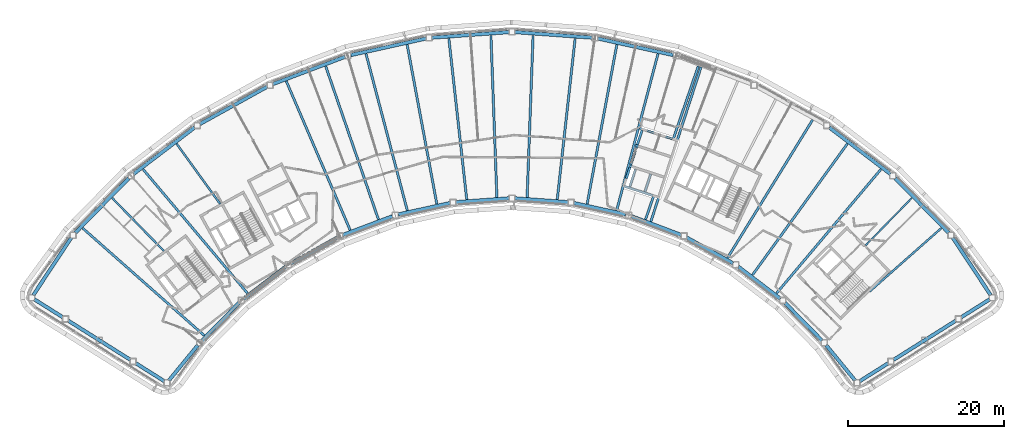
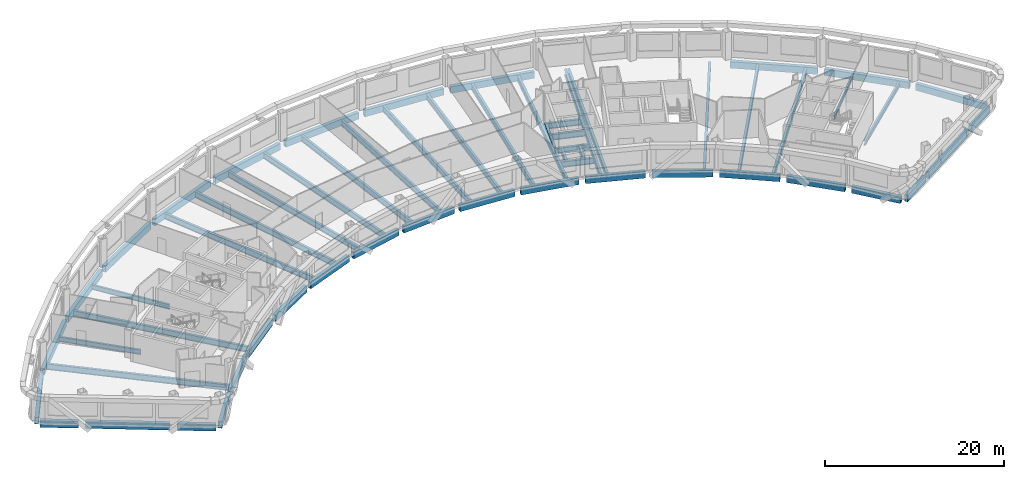
# One storey, part 3 of 18: 62 beams.
"""IFC4 building model written with IfcOpenShell, lengths in metres."""

from ifc_helpers import new_model, si_unit, direction, frame, origin, origin_2d, place, context, subcontext, project, spatial, hollow_rectangle, i_section, extrude, material, material_profile, profile_set, type_object, element, save


model = new_model("IFC4")

# Units and contexts
model_context = context("Model", 3, precision=1e-05, world=origin(), true_north=direction((0.0, 1.0)))
body_context = subcontext(model_context, "Body", "Model", "MODEL_VIEW")
ifc_project = project(units=[si_unit("LENGTHUNIT", "METRE"), si_unit("AREAUNIT", "SQUARE_METRE"), si_unit("VOLUMEUNIT", "CUBIC_METRE"), si_unit("PLANEANGLEUNIT", "RADIAN"), si_unit("MASSUNIT", "GRAM", prefix="KILO")], contexts=[model_context])

# Site, building, storey
site_placement = place(None, origin())
site = spatial("IfcSite", under=ifc_project, at=site_placement, CompositionType="ELEMENT")
building_placement = place(site_placement, origin())
building = spatial("IfcBuilding", under=site, at=building_placement, Name="Tuul Gate Civic Tower", CompositionType="ELEMENT")
storey_placement = place(building_placement, frame((0.0, 0.0, 234.699951171875)))
storey = spatial("IfcBuildingStorey", under=building, at=storey_placement, Name="Level 53", CompositionType="ELEMENT", Elevation=234.699951171875)

# Beams
ifc_material_1 = material(Name="Steel S355", Category="steel")
ifc_material_profile_1 = material_profile(ifc_material_1, i_section(OverallWidth=0.199951171875, OverallDepth=0.5, WebThickness=0.010009765625, FlangeThickness=0.01611328125, at=origin_2d()), Name="PG500x200x10x16")
ifc_profile_set_1 = profile_set([ifc_material_profile_1], Name="Steel S355")
beam_type_1 = type_object("IfcBeamType", Name="STR-FLOOR BEAM-PG500x200x10x16", PredefinedType="BEAM", material=ifc_profile_set_1)
beam_1_placement = place(storey_placement, frame((51.3310546875, -8.854248046875, -0.550048828125), z_axis=(0.698691017766, 0.715423554052, 0.0), x_axis=(-0.715423554052, 0.698691017766, 0.0)))
element("IfcBeam", 1, at=beam_1_placement, inside=storey, type_object=beam_type_1, Name="Floor beam", PredefinedType="BEAM", context=body_context, shape_type="SweptSolid", body=[
    extrude(i_section(OverallWidth=0.199951171875, OverallDepth=0.5, WebThickness=0.010009765625, FlangeThickness=0.01611328125, at=origin_2d()), origin(), (0.0, 0.0, 1.0), 8.50634765625),
])
ifc_material_2 = material(Name="Steel S355", Category="steel")
ifc_material_profile_2 = material_profile(ifc_material_2, i_section(OverallWidth=0.25, OverallDepth=0.64990234375, WebThickness=0.011962890625, FlangeThickness=0.02001953125, at=origin_2d()), Name="PG650x250x12x20")
ifc_profile_set_2 = profile_set([ifc_material_profile_2], Name="Steel S355")
beam_type_2 = type_object("IfcBeamType", Name="STR-FLOOR BEAM-PG650x250x12x20", PredefinedType="BEAM", material=ifc_profile_set_2)
beam_2_placement = place(storey_placement, frame((51.833740234375, -14.790771484375, -0.625), z_axis=(0.749448461943, 0.662062688037, 0.0), x_axis=(-0.662062688037, 0.749448461943, 0.0)))
element("IfcBeam", 2, at=beam_2_placement, inside=storey, type_object=beam_type_2, Name="Floor beam", PredefinedType="BEAM", context=body_context, shape_type="SweptSolid", body=[
    extrude(i_section(OverallWidth=0.25, OverallDepth=0.64990234375, WebThickness=0.011962890625, FlangeThickness=0.02001953125, at=origin_2d()), origin(), (0.0, 0.0, 1.0), 12.31787109375),
])
beam_3_placement = place(storey_placement, frame((-31.535888671875, -3.523193359375, -0.625), z_axis=(-0.586084023539, 0.810250280686, 0.0), x_axis=(-0.810250280686, -0.586084023539, 0.0)))
element("IfcBeam", 3, at=beam_3_placement, inside=storey, type_object=beam_type_2, Name="Floor beam", PredefinedType="BEAM", context=body_context, shape_type="SweptSolid", body=[
    extrude(i_section(OverallWidth=0.25, OverallDepth=0.64990234375, WebThickness=0.011962890625, FlangeThickness=0.02001953125, at=origin_2d()), origin(), (0.0, 0.0, 1.0), 9.53515625),
])
beam_4_placement = place(storey_placement, frame((-38.757568359375, -9.564697265625, -0.625), z_axis=(-0.698678959674, 0.715435329928, 0.0), x_axis=(-0.715435329928, -0.698678959674, 0.0)))
element("IfcBeam", 4, at=beam_4_placement, inside=storey, type_object=beam_type_2, Name="Floor beam", PredefinedType="BEAM", context=body_context, shape_type="SweptSolid", body=[
    extrude(i_section(OverallWidth=0.25, OverallDepth=0.64990234375, WebThickness=0.011962890625, FlangeThickness=0.02001953125, at=origin_2d()), origin(), (0.0, 0.0, 1.0), 9.499755859375),
])
ifc_material_3 = material(Name="Steel S355", Category="steel")
ifc_material_profile_3 = material_profile(ifc_material_3, i_section(OverallWidth=0.300048828125, OverallDepth=0.800048828125, WebThickness=0.013916015625, FlangeThickness=0.02490234375, at=origin_2d()), Name="PG800x300x14x25")
ifc_profile_set_3 = profile_set([ifc_material_profile_3], Name="Steel S355")
beam_type_3 = type_object("IfcBeamType", Name="STR-FLOOR BEAM-PG800x300x14x25", PredefinedType="BEAM", material=ifc_profile_set_3)
beam_5_placement = place(storey_placement, frame((39.8974609375, -15.008056640625, -0.699951171875), z_axis=(0.644132135775, 0.764914238109, 0.0), x_axis=(-0.764914238109, 0.644132135775, 0.0)))
element("IfcBeam", 5, at=beam_5_placement, inside=storey, type_object=beam_type_3, Name="Floor beam", PredefinedType="BEAM", context=body_context, shape_type="SweptSolid", body=[
    extrude(i_section(OverallWidth=0.300048828125, OverallDepth=0.800048828125, WebThickness=0.013916015625, FlangeThickness=0.02490234375, at=origin_2d()), origin(), (0.0, 0.0, 1.0), 20.82568359375),
])
beam_6_placement = place(storey_placement, frame((36.80908203125, -12.656494140625, -0.699951171875), z_axis=(0.586087172263, 0.810248003089, 0.0), x_axis=(-0.810248003089, 0.586087172263, 0.0)))
element("IfcBeam", 6, at=beam_6_placement, inside=storey, type_object=beam_type_3, Name="Floor beam", PredefinedType="BEAM", context=body_context, shape_type="SweptSolid", body=[
    extrude(i_section(OverallWidth=0.300048828125, OverallDepth=0.800048828125, WebThickness=0.013916015625, FlangeThickness=0.02490234375, at=origin_2d()), origin(), (0.0, 0.0, 1.0), 20.806884765625),
])
beam_7_placement = place(storey_placement, frame((33.605712890625, -10.46533203125, -0.699951171875), z_axis=(0.524856706834, 0.851190599861, 0.0), x_axis=(-0.851190599861, 0.524856706834, 0.0)))
element("IfcBeam", 7, at=beam_7_placement, inside=storey, type_object=beam_type_3, Name="Floor beam", PredefinedType="BEAM", context=body_context, shape_type="SweptSolid", body=[
    extrude(i_section(OverallWidth=0.300048828125, OverallDepth=0.800048828125, WebThickness=0.013916015625, FlangeThickness=0.02490234375, at=origin_2d()), origin(), (0.0, 0.0, 1.0), 20.82275390625),
])
beam_8_placement = place(storey_placement, frame((23.0859375, -5.52294921875, -0.699951171875), z_axis=(0.325486974479, 0.945546524209, 0.0), x_axis=(-0.945546524209, 0.325486974479, 0.0)))
element("IfcBeam", 8, at=beam_8_placement, inside=storey, type_object=beam_type_3, Name="Floor beam", PredefinedType="BEAM", context=body_context, shape_type="SweptSolid", body=[
    extrude(i_section(OverallWidth=0.300048828125, OverallDepth=0.800048828125, WebThickness=0.013916015625, FlangeThickness=0.02490234375, at=origin_2d()), origin(), (0.0, 0.0, 1.0), 20.809326171875),
])
beam_9_placement = place(storey_placement, frame((19.37841796875, -4.3759765625, -0.699951171875), z_axis=(0.255007612054, 0.966939045542, 0.0), x_axis=(-0.966939045542, 0.255007612054, 0.0)))
element("IfcBeam", 9, at=beam_9_placement, inside=storey, type_object=beam_type_3, Name="Floor beam", PredefinedType="BEAM", context=body_context, shape_type="SweptSolid", body=[
    extrude(i_section(OverallWidth=0.300048828125, OverallDepth=0.800048828125, WebThickness=0.013916015625, FlangeThickness=0.02490234375, at=origin_2d()), origin(), (0.0, 0.0, 1.0), 20.8173828125),
])
beam_10_placement = place(storey_placement, frame((15.58837890625, -3.540771484375, -0.699951171875), z_axis=(0.1831360046, 0.983087587054, 0.0), x_axis=(-0.983087587054, 0.1831360046, 0.0)))
element("IfcBeam", 10, at=beam_10_placement, inside=storey, type_object=beam_type_3, Name="Floor beam", PredefinedType="BEAM", context=body_context, shape_type="SweptSolid", body=[
    extrude(i_section(OverallWidth=0.300048828125, OverallDepth=0.800048828125, WebThickness=0.013916015625, FlangeThickness=0.02490234375, at=origin_2d()), origin(), (0.0, 0.0, 1.0), 20.811279296875),
])
beam_11_placement = place(storey_placement, frame((11.7509765625, -2.960693359375, -0.699951171875), z_axis=(0.110288630292, 0.993899601584, 0.0), x_axis=(-0.993899601584, 0.110288630292, 0.0)))
element("IfcBeam", 11, at=beam_11_placement, inside=storey, type_object=beam_type_3, Name="Floor beam", PredefinedType="BEAM", context=body_context, shape_type="SweptSolid", body=[
    extrude(i_section(OverallWidth=0.300048828125, OverallDepth=0.800048828125, WebThickness=0.013916015625, FlangeThickness=0.02490234375, at=origin_2d()), origin(), (0.0, 0.0, 1.0), 20.81494140625),
])
for number, where, z_axis, x_axis, name in (
    (12, (7.880126953125, -2.679931640625, -0.699951171875), (0.036833774102, 0.999321406298, 0.0), (-0.999321406298, 0.036833774102, 0.0), "Floor beam"),
    (13, (3.99951171875, -2.679931640625, -0.699951171875), (-0.036833774102, 0.999321406298, 0.0), (-0.999321406298, -0.036833774102, 0.0), "Floor beam"),
):
    element("IfcBeam", number, at=place(storey_placement, frame(where, z_axis=z_axis, x_axis=x_axis)), inside=storey, type_object=beam_type_3, Name=name, PredefinedType="BEAM", context=body_context, shape_type="SweptSolid", body=[
        extrude(i_section(OverallWidth=0.300048828125, OverallDepth=0.800048828125, WebThickness=0.013916015625, FlangeThickness=0.02490234375, at=origin_2d()), origin(), (0.0, 0.0, 1.0), 20.8125),
    ])
beam_12_placement = place(storey_placement, frame((0.128662109375, -2.960693359375, -0.699951171875), z_axis=(-0.110287344613, 0.993899744249, 0.0), x_axis=(-0.993899744249, -0.110287344613, 0.0)))
element("IfcBeam", 14, at=beam_12_placement, inside=storey, type_object=beam_type_3, Name="Floor beam", PredefinedType="BEAM", context=body_context, shape_type="SweptSolid", body=[
    extrude(i_section(OverallWidth=0.300048828125, OverallDepth=0.800048828125, WebThickness=0.013916015625, FlangeThickness=0.02490234375, at=origin_2d()), origin(), (0.0, 0.0, 1.0), 20.815185546875),
])
beam_13_placement = place(storey_placement, frame((-3.708740234375, -3.540771484375, -0.699951171875), z_axis=(-0.183133892551, 0.983087980498, 0.0), x_axis=(-0.983087980498, -0.183133892551, 0.0)))
element("IfcBeam", 15, at=beam_13_placement, inside=storey, type_object=beam_type_3, Name="Floor beam", PredefinedType="BEAM", context=body_context, shape_type="SweptSolid", body=[
    extrude(i_section(OverallWidth=0.300048828125, OverallDepth=0.800048828125, WebThickness=0.013916015625, FlangeThickness=0.02490234375, at=origin_2d()), origin(), (0.0, 0.0, 1.0), 20.8115234375),
])
beam_14_placement = place(storey_placement, frame((-7.498779296875, -4.3759765625, -0.699951171875), z_axis=(-0.255004720301, 0.96693980817, 0.0), x_axis=(-0.96693980817, -0.255004720301, 0.0)))
element("IfcBeam", 16, at=beam_14_placement, inside=storey, type_object=beam_type_3, Name="Floor beam", PredefinedType="BEAM", context=body_context, shape_type="SweptSolid", body=[
    extrude(i_section(OverallWidth=0.300048828125, OverallDepth=0.800048828125, WebThickness=0.013916015625, FlangeThickness=0.02490234375, at=origin_2d()), origin(), (0.0, 0.0, 1.0), 20.817626953125),
])
beam_15_placement = place(storey_placement, frame((-11.20654296875, -5.522705078125, -0.699951171875), z_axis=(-0.325476485131, 0.945550134909, 0.0), x_axis=(-0.945550134909, -0.325476485131, 0.0)))
element("IfcBeam", 17, at=beam_15_placement, inside=storey, type_object=beam_type_3, Name="Floor beam", PredefinedType="BEAM", context=body_context, shape_type="SweptSolid", body=[
    extrude(i_section(OverallWidth=0.300048828125, OverallDepth=0.800048828125, WebThickness=0.013916015625, FlangeThickness=0.02490234375, at=origin_2d()), origin(), (0.0, 0.0, 1.0), 20.809326171875),
])
beam_16_placement = place(storey_placement, frame((-14.836669921875, -6.895263671875, -0.699951171875), z_axis=(-0.394196672068, 0.91902610612, 0.0), x_axis=(-0.91902610612, -0.394196672068, 0.0)))
element("IfcBeam", 18, at=beam_16_placement, inside=storey, type_object=beam_type_3, Name="Floor beam", PredefinedType="BEAM", context=body_context, shape_type="SweptSolid", body=[
    extrude(i_section(OverallWidth=0.300048828125, OverallDepth=0.800048828125, WebThickness=0.013916015625, FlangeThickness=0.02490234375, at=origin_2d()), origin(), (0.0, 0.0, 1.0), 20.819580078125),
])
beam_17_placement = place(storey_placement, frame((-28.017822265625, -15.0078125, -0.699951171875), z_axis=(-0.644126359816, 0.764919101991, 0.0), x_axis=(-0.764919101991, -0.644126359816, 0.0)))
element("IfcBeam", 19, at=beam_17_placement, inside=storey, type_object=beam_type_3, Name="Floor beam", PredefinedType="BEAM", context=body_context, shape_type="SweptSolid", body=[
    extrude(i_section(OverallWidth=0.300048828125, OverallDepth=0.800048828125, WebThickness=0.013916015625, FlangeThickness=0.02490234375, at=origin_2d()), origin(), (0.0, 0.0, 1.0), 20.825927734375),
])
beam_18_placement = place(storey_placement, frame((-33.57568359375, -20.42529296875, -0.699951171875), z_axis=(-0.749447427269, 0.662063859277, 0.0), x_axis=(-0.662063859277, -0.749447427269, 0.0)))
element("IfcBeam", 20, at=beam_18_placement, inside=storey, type_object=beam_type_3, Name="Floor beam", PredefinedType="BEAM", context=body_context, shape_type="SweptSolid", body=[
    extrude(i_section(OverallWidth=0.300048828125, OverallDepth=0.800048828125, WebThickness=0.013916015625, FlangeThickness=0.02490234375, at=origin_2d()), origin(), (0.0, 0.0, 1.0), 20.82861328125),
])
beam_19_placement = place(storey_placement, frame((23.986572265625, -2.44580078125, -0.699951171875), z_axis=(-0.951071638158, 0.308970450192, 0.0), x_axis=(-0.308970450192, -0.951071638158, 0.0)))
element("IfcBeam", 21, at=beam_19_placement, inside=storey, type_object=beam_type_3, Name="Floor beam", PredefinedType="BEAM", context=body_context, shape_type="SweptSolid", body=[
    extrude(i_section(OverallWidth=0.300048828125, OverallDepth=0.800048828125, WebThickness=0.013916015625, FlangeThickness=0.02490234375, at=origin_2d()), origin(), (0.0, 0.0, 1.0), 3.81982421875),
])
beam_20_placement = place(storey_placement, frame((24.865478515625, 0.107421875, -0.699951171875), z_axis=(-0.951049693008, 0.309037993506, 0.0), x_axis=(-0.309037993506, -0.951049693008, 0.0)))
element("IfcBeam", 22, at=beam_20_placement, inside=storey, type_object=beam_type_3, Name="Floor beam", PredefinedType="BEAM", context=body_context, shape_type="SweptSolid", body=[
    extrude(i_section(OverallWidth=0.300048828125, OverallDepth=0.800048828125, WebThickness=0.013916015625, FlangeThickness=0.02490234375, at=origin_2d()), origin(), (0.0, 0.0, 1.0), 4.018798828125),
])
beam_21_placement = place(storey_placement, frame((25.7607421875, 2.708251953125, -0.699951171875), z_axis=(-0.951061690021, 0.309001070829, 0.0), x_axis=(-0.309001070829, -0.951061690021, 0.0)))
element("IfcBeam", 23, at=beam_21_placement, inside=storey, type_object=beam_type_3, Name="Floor beam", PredefinedType="BEAM", context=body_context, shape_type="SweptSolid", body=[
    extrude(i_section(OverallWidth=0.300048828125, OverallDepth=0.800048828125, WebThickness=0.013916015625, FlangeThickness=0.02490234375, at=origin_2d()), origin(), (0.0, 0.0, 1.0), 4.221435546875),
])
beam_22_placement = place(storey_placement, frame((26.4931640625, 4.8359375, -0.699951171875), z_axis=(-0.951059828427, 0.309006800495, 0.0), x_axis=(-0.309006800495, -0.951059828427, 0.0)))
element("IfcBeam", 24, at=beam_22_placement, inside=storey, type_object=beam_type_3, Name="Floor beam", PredefinedType="BEAM", context=body_context, shape_type="SweptSolid", body=[
    extrude(i_section(OverallWidth=0.300048828125, OverallDepth=0.800048828125, WebThickness=0.013916015625, FlangeThickness=0.02490234375, at=origin_2d()), origin(), (0.0, 0.0, 1.0), 4.38720703125),
])
beam_23_placement = place(storey_placement, frame((23.759765625, -5.804443359375, -0.699951171875), z_axis=(0.309095857735, 0.951030888421, 0.0), x_axis=(-0.951030888421, 0.309095857735, 0.0)))
element("IfcBeam", 25, at=beam_23_placement, inside=storey, type_object=beam_type_3, Name="Floor beam", PredefinedType="BEAM", context=body_context, shape_type="SweptSolid", body=[
    extrude(i_section(OverallWidth=0.300048828125, OverallDepth=0.800048828125, WebThickness=0.013916015625, FlangeThickness=0.02490234375, at=origin_2d()), origin(), (0.0, 0.0, 1.0), 20.87353515625),
])
for number, where, z_axis, x_axis, name in (
    (26, (23.008056640625, -1.97021484375, -0.699951171875), (0.309138975195, 0.951016873675, 0.0), (-0.951016873675, 0.309138975195, 0.0), "Floor beam"),
    (27, (21.058349609375, -1.336669921875, -0.699951171875), (0.309138975195, 0.951016873675, 0.0), (-0.951016873675, 0.309138975195, 0.0), "Floor beam"),
):
    element("IfcBeam", number, at=place(storey_placement, frame(where, z_axis=z_axis, x_axis=x_axis)), inside=storey, type_object=beam_type_3, Name=name, PredefinedType="BEAM", context=body_context, shape_type="SweptSolid", body=[
        extrude(i_section(OverallWidth=0.300048828125, OverallDepth=0.800048828125, WebThickness=0.013916015625, FlangeThickness=0.02490234375, at=origin_2d()), origin(), (0.0, 0.0, 1.0), 2.400146484375),
    ])
beam_24_placement = place(storey_placement, frame((20.615966796875, -0.271240234375, -0.699951171875), z_axis=(0.30915130103, 0.951012866933, 0.0), x_axis=(-0.951012866933, 0.30915130103, 0.0)))
element("IfcBeam", 28, at=beam_24_placement, inside=storey, type_object=beam_type_3, Name="Floor beam", PredefinedType="BEAM", context=body_context, shape_type="SweptSolid", body=[
    extrude(i_section(OverallWidth=0.300048828125, OverallDepth=0.800048828125, WebThickness=0.013916015625, FlangeThickness=0.02490234375, at=origin_2d()), origin(), (0.0, 0.0, 1.0), 1.5234375),
])
beam_25_placement = place(storey_placement, frame((21.1796875, 1.462890625, -0.699951171875), z_axis=(0.30910409769, 0.951028210302, 0.0), x_axis=(-0.951028210302, 0.30910409769, 0.0)))
element("IfcBeam", 29, at=beam_25_placement, inside=storey, type_object=beam_type_3, Name="Floor beam", PredefinedType="BEAM", context=body_context, shape_type="SweptSolid", body=[
    extrude(i_section(OverallWidth=0.300048828125, OverallDepth=0.800048828125, WebThickness=0.013916015625, FlangeThickness=0.02490234375, at=origin_2d()), origin(), (0.0, 0.0, 1.0), 2.449951171875),
])
beam_26_placement = place(storey_placement, frame((22.02978515625, 4.078125, -0.699951171875), z_axis=(0.309006800495, 0.951059828427, 0.0), x_axis=(-0.951059828427, 0.309006800495, 0.0)))
element("IfcBeam", 30, at=beam_26_placement, inside=storey, type_object=beam_type_3, Name="Floor beam", PredefinedType="BEAM", context=body_context, shape_type="SweptSolid", body=[
    extrude(i_section(OverallWidth=0.300048828125, OverallDepth=0.800048828125, WebThickness=0.013916015625, FlangeThickness=0.02490234375, at=origin_2d()), origin(), (0.0, 0.0, 1.0), 1.949951171875),
])
ifc_material_4 = material(Name="Steel S355", Category="steel")
ifc_material_profile_4 = material_profile(ifc_material_4, hollow_rectangle(XDim=0.449951171875, YDim=0.89990234375, WallThickness=0.02490234375, at=origin_2d()), Name="BOX900x450x25")
ifc_profile_set_4 = profile_set([ifc_material_profile_4], Name="Steel S355")
beam_type_4 = type_object("IfcBeamType", Name="STR-SPANDREL BEAM-BOX900x450x25", PredefinedType="BEAM", material=ifc_profile_set_4)
beam_27_placement = place(storey_placement, frame((67.390380859375, -15.229248046875, -0.75), z_axis=(-0.551593557637, 0.834113030214, 0.0), x_axis=(-0.834113030214, -0.551593557637, 0.0)))
element("IfcBeam", 31, at=beam_27_placement, inside=storey, type_object=beam_type_4, Name="Spandrel beam", PredefinedType="BEAM", context=body_context, shape_type="SweptSolid", body=[
    extrude(hollow_rectangle(XDim=0.449951171875, YDim=0.89990234375, WallThickness=0.02490234375, at=origin_2d()), origin(), (0.0, 0.0, 1.0), 8.806640625),
])
beam_28_placement = place(storey_placement, frame((62.031982421875, -7.264404296875, -0.75), z_axis=(-0.700052630296, 0.714091251042, 0.0), x_axis=(-0.714091251042, -0.700052630296, 0.0)))
element("IfcBeam", 32, at=beam_28_placement, inside=storey, type_object=beam_type_4, Name="Spandrel beam", PredefinedType="BEAM", context=body_context, shape_type="SweptSolid", body=[
    extrude(hollow_rectangle(XDim=0.449951171875, YDim=0.89990234375, WallThickness=0.02490234375, at=origin_2d()), origin(), (0.0, 0.0, 1.0), 9.8779296875),
])
for number, where, z_axis, x_axis, name in (
    (33, (54.518798828125, 0.3173828125, -0.75), (-0.795633671898, 0.605778061787, 0.0), (-0.605778061787, -0.795633671898, 0.0), "Spandrel beam"),
    (34, (26.62548828125, 15.58203125, -0.75), (-0.976561301206, 0.21523945964, 0.0), (-0.21523945964, -0.976561301206, 0.0), "Spandrel beam"),
):
    element("IfcBeam", number, at=place(storey_placement, frame(where, z_axis=z_axis, x_axis=x_axis)), inside=storey, type_object=beam_type_4, Name=name, PredefinedType="BEAM", context=body_context, shape_type="SweptSolid", body=[
        extrude(hollow_rectangle(XDim=0.449951171875, YDim=0.89990234375, WallThickness=0.02490234375, at=origin_2d()), origin(), (0.0, 0.0, 1.0), 9.877197265625),
    ])
beam_29_placement = place(storey_placement, frame((16.18994140625, 17.822998046875, -0.75), z_axis=(-0.997389983978, 0.072202630563, 0.0), x_axis=(-0.072202630563, -0.997389983978, 0.0)))
element("IfcBeam", 35, at=beam_29_placement, inside=storey, type_object=beam_type_4, Name="Spandrel beam", PredefinedType="BEAM", context=body_context, shape_type="SweptSolid", body=[
    extrude(hollow_rectangle(XDim=0.449951171875, YDim=0.89990234375, WallThickness=0.02490234375, at=origin_2d()), origin(), (0.0, 0.0, 1.0), 9.876953125),
])
beam_30_placement = place(storey_placement, frame((5.541015625, 18.5361328125, -0.75), z_axis=(-0.997390499353, -0.072195510943, 0.0), x_axis=(0.072195510943, -0.997390499353, 0.0)))
element("IfcBeam", 36, at=beam_30_placement, inside=storey, type_object=beam_type_4, Name="Spandrel beam", PredefinedType="BEAM", context=body_context, shape_type="SweptSolid", body=[
    extrude(hollow_rectangle(XDim=0.449951171875, YDim=0.89990234375, WallThickness=0.02490234375, at=origin_2d()), origin(), (0.0, 0.0, 1.0), 9.8779296875),
])
for number, where, z_axis, x_axis, name in (
    (37, (-5.1005859375, 17.7080078125, -0.75), (-0.976561301206, -0.21523945964, 0.0), (0.21523945964, -0.976561301206, 0.0), "Spandrel beam"),
    (38, (-15.51123046875, 15.3544921875, -0.75), (-0.935345282805, -0.353736062531, 0.0), (0.353736062531, -0.935345282805, 0.0), "Spandrel beam"),
):
    element("IfcBeam", number, at=place(storey_placement, frame(where, z_axis=z_axis, x_axis=x_axis)), inside=storey, type_object=beam_type_4, Name=name, PredefinedType="BEAM", context=body_context, shape_type="SweptSolid", body=[
        extrude(hollow_rectangle(XDim=0.449951171875, YDim=0.89990234375, WallThickness=0.02490234375, at=origin_2d()), origin(), (0.0, 0.0, 1.0), 9.877197265625),
    ])
beam_31_placement = place(storey_placement, frame((-25.473876953125, 11.525146484375, -0.75), z_axis=(-0.874638363012, -0.484775962634, 0.0), x_axis=(0.484775962634, -0.874638363012, 0.0)))
element("IfcBeam", 39, at=beam_31_placement, inside=storey, type_object=beam_type_4, Name="Spandrel beam", PredefinedType="BEAM", context=body_context, shape_type="SweptSolid", body=[
    extrude(hollow_rectangle(XDim=0.449951171875, YDim=0.89990234375, WallThickness=0.02490234375, at=origin_2d()), origin(), (0.0, 0.0, 1.0), 9.87744140625),
])
beam_32_placement = place(storey_placement, frame((-34.78125, 6.30078125, -0.75), z_axis=(-0.795624601098, -0.605789975261, 0.0), x_axis=(0.605789975261, -0.795624601098, 0.0)))
element("IfcBeam", 40, at=beam_32_placement, inside=storey, type_object=beam_type_4, Name="Spandrel beam", PredefinedType="BEAM", context=body_context, shape_type="SweptSolid", body=[
    extrude(hollow_rectangle(XDim=0.449951171875, YDim=0.89990234375, WallThickness=0.02490234375, at=origin_2d()), origin(), (0.0, 0.0, 1.0), 9.876953125),
])
beam_33_placement = place(storey_placement, frame((-43.238037109375, -0.210693359375, -0.75), z_axis=(-0.700002211949, -0.714140674704, 0.0), x_axis=(0.714140674704, -0.700002211949, 0.0)))
element("IfcBeam", 41, at=beam_33_placement, inside=storey, type_object=beam_type_4, Name="Spandrel beam", PredefinedType="BEAM", context=body_context, shape_type="SweptSolid", body=[
    extrude(hollow_rectangle(XDim=0.449951171875, YDim=0.89990234375, WallThickness=0.02490234375, at=origin_2d()), origin(), (0.0, 0.0, 1.0), 9.877197265625),
])
beam_34_placement = place(storey_placement, frame((-50.652587890625, -7.883544921875, -0.75), z_axis=(-0.551593557637, -0.834113030214, 0.0), x_axis=(0.834113030214, -0.551593557637, 0.0)))
element("IfcBeam", 42, at=beam_34_placement, inside=storey, type_object=beam_type_4, Name="Spandrel beam", PredefinedType="BEAM", context=body_context, shape_type="SweptSolid", body=[
    extrude(hollow_rectangle(XDim=0.449951171875, YDim=0.89990234375, WallThickness=0.02490234375, at=origin_2d()), origin(), (0.0, 0.0, 1.0), 8.806640625),
])
beam_35_placement = place(storey_placement, frame((-55.392578125, -15.776123046875, -0.75), z_axis=(0.846207423362, -0.532853635295, 0.0), x_axis=(0.532853635295, 0.846207423362, 0.0)))
element("IfcBeam", 43, at=beam_35_placement, inside=storey, type_object=beam_type_4, Name="Spandrel beam", PredefinedType="BEAM", context=body_context, shape_type="SweptSolid", body=[
    extrude(hollow_rectangle(XDim=0.449951171875, YDim=0.89990234375, WallThickness=0.02490234375, at=origin_2d()), origin(), (0.0, 0.0, 1.0), 4.3310546875),
])
beam_36_placement = place(storey_placement, frame((-51.050537109375, -18.51025390625, -0.75), z_axis=(0.846168645445, -0.532915212268, 0.0), x_axis=(0.532915212268, 0.846168645445, 0.0)))
element("IfcBeam", 44, at=beam_36_placement, inside=storey, type_object=beam_type_4, Name="Spandrel beam", PredefinedType="BEAM", context=body_context, shape_type="SweptSolid", body=[
    extrude(hollow_rectangle(XDim=0.449951171875, YDim=0.89990234375, WallThickness=0.02490234375, at=origin_2d()), origin(), (0.0, 0.0, 1.0), 9.4638671875),
])
beam_37_placement = place(storey_placement, frame((-42.365478515625, -23.97998046875, -0.75), z_axis=(0.846271424817, -0.532751983138, 0.0), x_axis=(0.532751983138, 0.846271424817, 0.0)))
element("IfcBeam", 45, at=beam_37_placement, inside=storey, type_object=beam_type_4, Name="Spandrel beam", PredefinedType="BEAM", context=body_context, shape_type="SweptSolid", body=[
    extrude(hollow_rectangle(XDim=0.449951171875, YDim=0.89990234375, WallThickness=0.02490234375, at=origin_2d()), origin(), (0.0, 0.0, 1.0), 4.33203125),
])
beam_38_placement = place(storey_placement, frame((-38.107177734375, -26.19189453125, -0.75), z_axis=(0.63438437654, 0.773017763574, 0.0), x_axis=(-0.773017763574, 0.63438437654, 0.0)))
element("IfcBeam", 46, at=beam_38_placement, inside=storey, type_object=beam_type_4, Name="Spandrel beam", PredefinedType="BEAM", context=body_context, shape_type="SweptSolid", body=[
    extrude(hollow_rectangle(XDim=0.449951171875, YDim=0.89990234375, WallThickness=0.02490234375, at=origin_2d()), origin(), (0.0, 0.0, 1.0), 5.85205078125),
])
beam_39_placement = place(storey_placement, frame((-33.861083984375, -21.0732421875, -0.75), z_axis=(0.700043734747, 0.714099971602, 0.0), x_axis=(-0.714099971602, 0.700043734747, 0.0)))
element("IfcBeam", 47, at=beam_39_placement, inside=storey, type_object=beam_type_4, Name="Spandrel beam", PredefinedType="BEAM", context=body_context, shape_type="SweptSolid", body=[
    extrude(hollow_rectangle(XDim=0.449951171875, YDim=0.89990234375, WallThickness=0.02490234375, at=origin_2d()), origin(), (0.0, 0.0, 1.0), 6.791259765625),
])
beam_40_placement = place(storey_placement, frame((-28.5087890625, -15.69580078125, -0.75), z_axis=(0.79560909882, 0.605810334903, 0.0), x_axis=(-0.605810334903, 0.79560909882, 0.0)))
element("IfcBeam", 48, at=beam_40_placement, inside=storey, type_object=beam_type_4, Name="Spandrel beam", PredefinedType="BEAM", context=body_context, shape_type="SweptSolid", body=[
    extrude(hollow_rectangle(XDim=0.449951171875, YDim=0.89990234375, WallThickness=0.02490234375, at=origin_2d()), origin(), (0.0, 0.0, 1.0), 6.791748046875),
])
beam_41_placement = place(storey_placement, frame((-22.437255859375, -11.14501953125, -0.75), z_axis=(0.874611291259, 0.484824802585, 0.0), x_axis=(-0.484824802585, 0.874611291259, 0.0)))
element("IfcBeam", 49, at=beam_41_placement, inside=storey, type_object=beam_type_4, Name="Spandrel beam", PredefinedType="BEAM", context=body_context, shape_type="SweptSolid", body=[
    extrude(hollow_rectangle(XDim=0.449951171875, YDim=0.89990234375, WallThickness=0.02490234375, at=origin_2d()), origin(), (0.0, 0.0, 1.0), 6.7919921875),
])
for number, where, z_axis, x_axis, name in (
    (50, (-15.77294921875, -7.5166015625, -0.75), (0.935366946495, 0.353678774319, 0.0), (-0.353678774319, 0.935366946495, 0.0), "Spandrel beam"),
    (51, (-8.6552734375, -4.886962890625, -0.75), (0.976559454542, 0.215247837958, 0.0), (-0.215247837958, 0.976559454542, 0.0), "Spandrel beam"),
):
    element("IfcBeam", number, at=place(storey_placement, frame(where, z_axis=z_axis, x_axis=x_axis)), inside=storey, type_object=beam_type_4, Name=name, PredefinedType="BEAM", context=body_context, shape_type="SweptSolid", body=[
        extrude(hollow_rectangle(XDim=0.449951171875, YDim=0.89990234375, WallThickness=0.02490234375, at=origin_2d()), origin(), (0.0, 0.0, 1.0), 6.791748046875),
    ])
for number, where, z_axis, x_axis, name in (
    (52, (-1.233154296875, -3.31005859375, -0.75), (0.997381302407, 0.072322455777, 0.0), (-0.072322455777, 0.997381302407, 0.0), "Spandrel beam"),
    (53, (6.3388671875, -2.81884765625, -0.75), (0.997381302407, -0.072322455777, 0.0), (0.072322455777, 0.997381302407, 0.0), "Spandrel beam"),
):
    element("IfcBeam", number, at=place(storey_placement, frame(where, z_axis=z_axis, x_axis=x_axis)), inside=storey, type_object=beam_type_4, Name=name, PredefinedType="BEAM", context=body_context, shape_type="SweptSolid", body=[
        extrude(hollow_rectangle(XDim=0.449951171875, YDim=0.89990234375, WallThickness=0.02490234375, at=origin_2d()), origin(), (0.0, 0.0, 1.0), 6.7919921875),
    ])
beam_42_placement = place(storey_placement, frame((13.902587890625, -3.425048828125, -0.75), z_axis=(0.976554457368, -0.21527050842, 0.0), x_axis=(0.21527050842, 0.976554457368, 0.0)))
element("IfcBeam", 54, at=beam_42_placement, inside=storey, type_object=beam_type_4, Name="Spandrel beam", PredefinedType="BEAM", context=body_context, shape_type="SweptSolid", body=[
    extrude(hollow_rectangle(XDim=0.449951171875, YDim=0.89990234375, WallThickness=0.02490234375, at=origin_2d()), origin(), (0.0, 0.0, 1.0), 6.791015625),
])
beam_43_placement = place(storey_placement, frame((21.299072265625, -5.114501953125, -0.75), z_axis=(0.935366946495, -0.353678774319, 0.0), x_axis=(0.353678774319, 0.935366946495, 0.0)))
element("IfcBeam", 55, at=beam_43_placement, inside=storey, type_object=beam_type_4, Name="Spandrel beam", PredefinedType="BEAM", context=body_context, shape_type="SweptSolid", body=[
    extrude(hollow_rectangle(XDim=0.449951171875, YDim=0.89990234375, WallThickness=0.02490234375, at=origin_2d()), origin(), (0.0, 0.0, 1.0), 6.791748046875),
])
beam_44_placement = place(storey_placement, frame((28.375732421875, -7.85205078125, -0.75), z_axis=(0.874611291259, -0.484824802585, 0.0), x_axis=(0.484824802585, 0.874611291259, 0.0)))
element("IfcBeam", 56, at=beam_44_placement, inside=storey, type_object=beam_type_4, Name="Spandrel beam", PredefinedType="BEAM", context=body_context, shape_type="SweptSolid", body=[
    extrude(hollow_rectangle(XDim=0.449951171875, YDim=0.89990234375, WallThickness=0.02490234375, at=origin_2d()), origin(), (0.0, 0.0, 1.0), 6.7919921875),
])
beam_45_placement = place(storey_placement, frame((34.984130859375, -11.581298828125, -0.75), z_axis=(0.79560909882, -0.605810334903, 0.0), x_axis=(0.605810334903, 0.79560909882, 0.0)))
element("IfcBeam", 57, at=beam_45_placement, inside=storey, type_object=beam_type_4, Name="Spandrel beam", PredefinedType="BEAM", context=body_context, shape_type="SweptSolid", body=[
    extrude(hollow_rectangle(XDim=0.449951171875, YDim=0.89990234375, WallThickness=0.02490234375, at=origin_2d()), origin(), (0.0, 0.0, 1.0), 6.791748046875),
])
beam_46_placement = place(storey_placement, frame((40.986083984375, -16.2236328125, -0.75), z_axis=(0.700080754947, -0.71406367822, 0.0), x_axis=(0.71406367822, 0.700080754947, 0.0)))
element("IfcBeam", 58, at=beam_46_placement, inside=storey, type_object=beam_type_4, Name="Spandrel beam", PredefinedType="BEAM", context=body_context, shape_type="SweptSolid", body=[
    extrude(hollow_rectangle(XDim=0.449951171875, YDim=0.89990234375, WallThickness=0.02490234375, at=origin_2d()), origin(), (0.0, 0.0, 1.0), 6.7919921875),
])
beam_47_placement = place(storey_placement, frame((46.274658203125, -21.668212890625, -0.75), z_axis=(0.634409305215, -0.772997304947, 0.0), x_axis=(0.772997304947, 0.634409305215, 0.0)))
element("IfcBeam", 59, at=beam_47_placement, inside=storey, type_object=beam_type_4, Name="Spandrel beam", PredefinedType="BEAM", context=body_context, shape_type="SweptSolid", body=[
    extrude(hollow_rectangle(XDim=0.449951171875, YDim=0.89990234375, WallThickness=0.02490234375, at=origin_2d()), origin(), (0.0, 0.0, 1.0), 5.85205078125),
])
beam_48_placement = place(storey_placement, frame((50.57958984375, -26.287841796875, -0.75), z_axis=(0.84623284009, 0.532813269686, 0.0), x_axis=(-0.532813269686, 0.84623284009, 0.0)))
element("IfcBeam", 60, at=beam_48_placement, inside=storey, type_object=beam_type_4, Name="Spandrel beam", PredefinedType="BEAM", context=body_context, shape_type="SweptSolid", body=[
    extrude(hollow_rectangle(XDim=0.449951171875, YDim=0.89990234375, WallThickness=0.02490234375, at=origin_2d()), origin(), (0.0, 0.0, 1.0), 4.3310546875),
])
beam_49_placement = place(storey_placement, frame((54.92138671875, -23.5537109375, -0.75), z_axis=(0.846168645445, 0.532915212268, 0.0), x_axis=(-0.532915212268, 0.846168645445, 0.0)))
element("IfcBeam", 61, at=beam_49_placement, inside=storey, type_object=beam_type_4, Name="Spandrel beam", PredefinedType="BEAM", context=body_context, shape_type="SweptSolid", body=[
    extrude(hollow_rectangle(XDim=0.449951171875, YDim=0.89990234375, WallThickness=0.02490234375, at=origin_2d()), origin(), (0.0, 0.0, 1.0), 9.4638671875),
])
beam_50_placement = place(storey_placement, frame((63.6064453125, -18.083984375, -0.75), z_axis=(0.846271424817, 0.532751983138, 0.0), x_axis=(-0.532751983138, 0.846271424817, 0.0)))
element("IfcBeam", 62, at=beam_50_placement, inside=storey, type_object=beam_type_4, Name="Spandrel beam", PredefinedType="BEAM", context=body_context, shape_type="SweptSolid", body=[
    extrude(hollow_rectangle(XDim=0.449951171875, YDim=0.89990234375, WallThickness=0.02490234375, at=origin_2d()), origin(), (0.0, 0.0, 1.0), 4.33203125),
])

save(model, "model.ifc")
